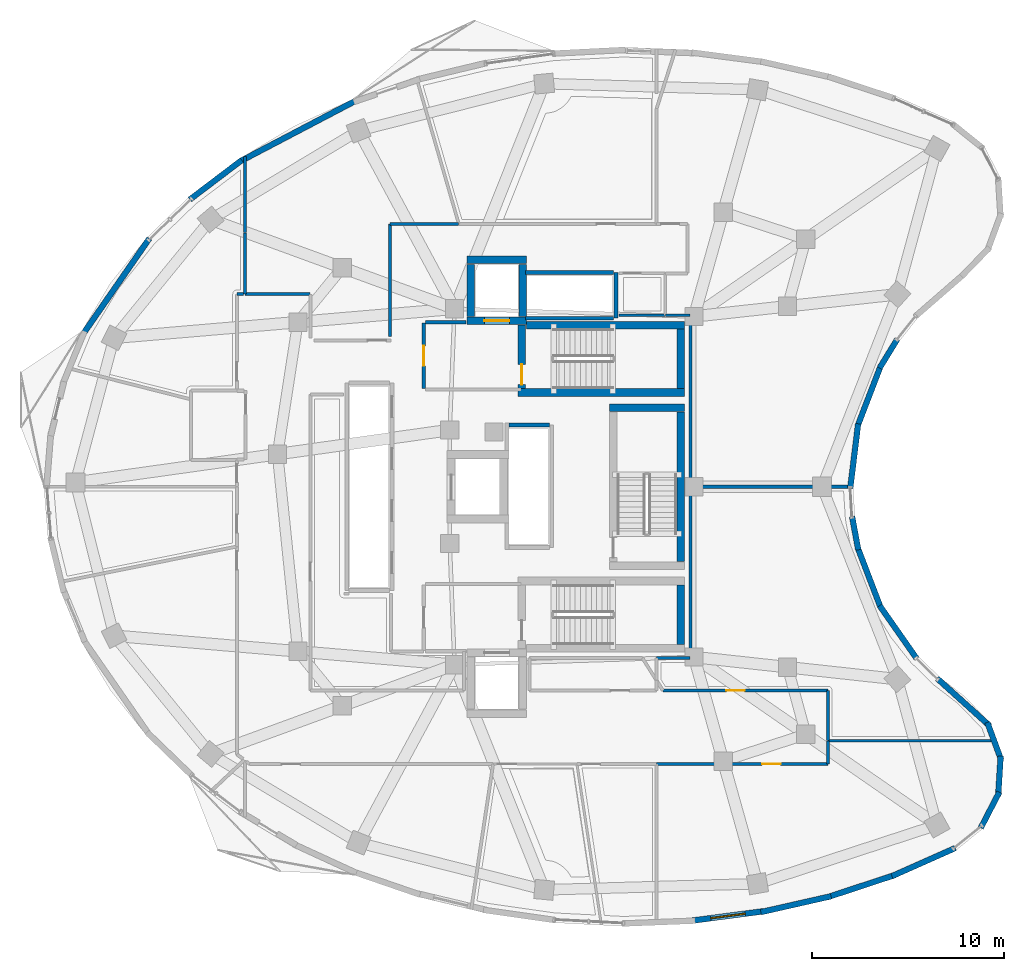
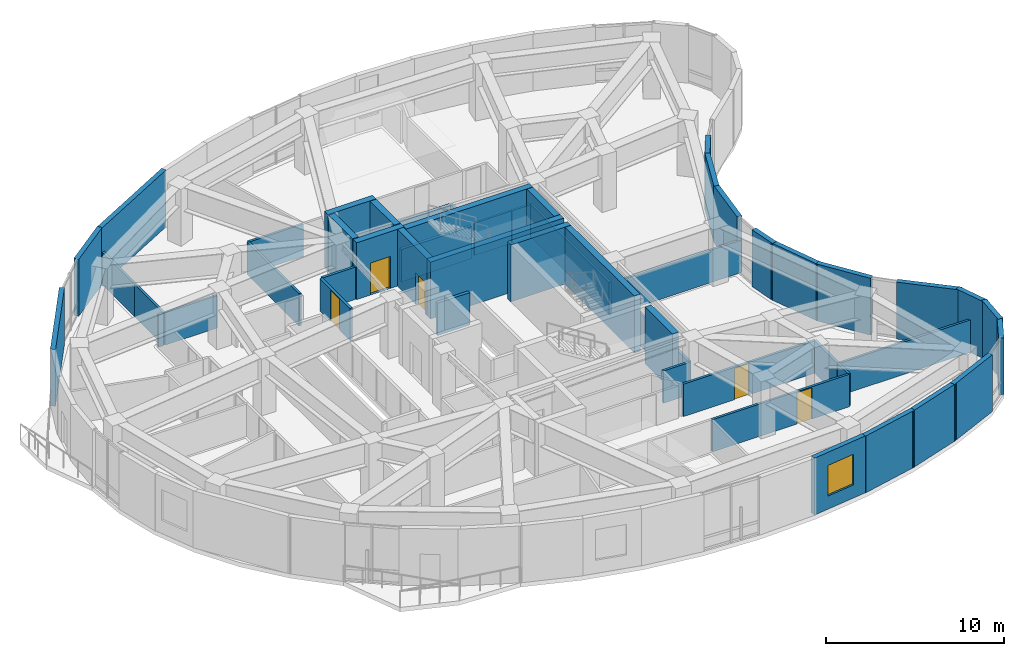
# One storey, part 10 of 14: 51 walls, 5 doors, 1 window, 6 openings.
"""IFC4 building model written with IfcOpenShell, lengths in metres."""

import ifcopenshell
import ifcopenshell.guid

model = None  # the IFC model being written
_history = None  # IfcOwnerHistory: only IFC2X3 demands one
_inside = {}  # id of a spatial element -> (the spatial element, [elements in it])
_under = {}  # id of a project, library or spatial element -> (it, [spatial elements below it])
_declared = {}  # id of a project -> (the project, [libraries it declares])
_typed = {}  # id of a type object -> (the type object, [elements of that type])
_made_of = {}  # id of a material, layer set ... -> (it, [elements and type objects made of it])


def new_model(schema):
    """Start an empty IFC model of exactly this schema.

    Asked for "IFC4X3", IfcOpenShell would pick the latest addendum, in which some entities
    have other attributes; the version numbers below select the first issue.
    IFC2X3 requires an IfcOwnerHistory on every rooted entity: one is made here for all.
    """
    global model, _history
    if schema == "IFC4X3":
        model = ifcopenshell.file(schema_version=(4, 3, 0, 0))
    else:
        model = ifcopenshell.file(schema=schema)
    _inside.clear()
    _under.clear()
    _declared.clear()
    _typed.clear()
    _made_of.clear()
    _history = None
    if model.schema == "IFC2X3":
        org = make("IfcOrganization", Name="unknown")
        user = make(
            "IfcPersonAndOrganization",
            ThePerson=make("IfcPerson", FamilyName="unknown"),
            TheOrganization=org,
        )
        app = make(
            "IfcApplication",
            ApplicationDeveloper=org,
            Version="unknown",
            ApplicationFullName="unknown",
            ApplicationIdentifier="unknown",
        )
        _history = make(
            "IfcOwnerHistory",
            OwningUser=user,
            OwningApplication=app,
            ChangeAction="ADDED",
            CreationDate=0,
        )
    return model


def make(cls, **values):
    """One entity of the class cls with the attributes given. An attribute that is None is left unset."""
    return model.create_entity(
        cls, **{name: value for name, value in values.items() if value is not None}
    )


def rooted(cls, **values):
    """An entity with a GlobalId (a new one), such as an element, a storey or a relation."""
    return make(cls, GlobalId=ifcopenshell.guid.new(), OwnerHistory=_history, **values)


def si_unit(unit_type, name, prefix=None):
    """IfcSIUnit, for example si_unit("LENGTHUNIT", "METRE", prefix="MILLI")."""
    return make("IfcSIUnit", UnitType=unit_type, Prefix=prefix, Name=name)


def assignment(units):
    """IfcUnitAssignment: the units of a project."""
    return None if units is None else make("IfcUnitAssignment", Units=units)


def point(xyz):
    """IfcCartesianPoint."""
    return None if xyz is None else make("IfcCartesianPoint", Coordinates=xyz)


def direction(xyz):
    """IfcDirection."""
    return None if xyz is None else make("IfcDirection", DirectionRatios=xyz)


def frame(location, z_axis=None, x_axis=None):
    """IfcAxis2Placement3D, a coordinate frame: its origin and axes. An axis left out is left unset."""
    return make(
        "IfcAxis2Placement3D",
        Location=point(location),
        Axis=direction(z_axis),
        RefDirection=direction(x_axis),
    )


def frame_2d(location, x_axis=None):
    """IfcAxis2Placement2D, a coordinate frame in the plane: its origin and x axis."""
    return make(
        "IfcAxis2Placement2D", Location=point(location), RefDirection=direction(x_axis)
    )


def origin():
    """The frame at (0, 0, 0) with its axes left unset."""
    return frame((0.0, 0.0, 0.0))


def place(relative_to, where):
    """IfcLocalPlacement: puts the frame where relative to a parent placement (None: the world)."""
    return make(
        "IfcLocalPlacement", PlacementRelTo=relative_to, RelativePlacement=where
    )


def context(
    kind, dimensions, precision=None, world=None, true_north=None, identifier=None
):
    """IfcGeometricRepresentationContext, for example the 3D "Model" context."""
    return make(
        "IfcGeometricRepresentationContext",
        ContextIdentifier=identifier,
        ContextType=kind,
        CoordinateSpaceDimension=dimensions,
        Precision=precision,
        WorldCoordinateSystem=world,
        TrueNorth=true_north,
    )


def subcontext(parent, identifier, kind, view, scale=None):
    """IfcGeometricRepresentationSubContext, for example "Body" below "Model"."""
    return make(
        "IfcGeometricRepresentationSubContext",
        ContextIdentifier=identifier,
        ContextType=kind,
        ParentContext=parent,
        TargetScale=scale,
        TargetView=view,
    )


def project(units=None, contexts=None):
    """IfcProject with its units and contexts."""
    return rooted(
        "IfcProject",
        Name="project",
        RepresentationContexts=contexts,
        UnitsInContext=assignment(units),
    )


def spatial(cls, under=None, at=None, **own):
    """A site, building, storey or space (cls), placed at a placement, below another one or the project."""
    s = rooted(cls, ObjectPlacement=at, **own)
    if under is not None:
        _under.setdefault(under.id(), (under, []))[1].append(s)
    return s


def profile(cls, at=None, kind="AREA", **sizes):
    """A parametric profile (cls). Its sizes go by their IFC names, for example OverallWidth=200.0."""
    return make(cls, ProfileType=kind, Position=at, **sizes)


def rectangle(**sizes):
    """IfcRectangleProfileDef."""
    return profile("IfcRectangleProfileDef", **sizes)


def extrude(swept, where, along, depth):
    """IfcExtrudedAreaSolid: the profile swept, set in the frame where, extruded along a direction by depth."""
    return make(
        "IfcExtrudedAreaSolid",
        SweptArea=swept,
        Position=where,
        ExtrudedDirection=direction(along),
        Depth=depth,
    )


def shape(context_of_items, identifier, shape_type, items):
    """IfcShapeRepresentation: the items that make up one representation, for example the "Body"."""
    return make(
        "IfcShapeRepresentation",
        ContextOfItems=context_of_items,
        RepresentationIdentifier=identifier,
        RepresentationType=shape_type,
        Items=items,
    )


def material(Name=None, Category=None):
    """IfcMaterial."""
    return make("IfcMaterial", Name=Name, Category=Category)


def layer(
    of_material, thickness, ventilated=None, Name=None, Category=None, Priority=None
):
    """IfcMaterialLayer: one layer of a wall or slab, of a material (None: an air gap)."""
    return make(
        "IfcMaterialLayer",
        Material=of_material,
        LayerThickness=thickness,
        IsVentilated=ventilated,
        Name=Name,
        Category=Category,
        Priority=Priority,
    )


def layer_set(layers, Name=None):
    """IfcMaterialLayerSet."""
    return make("IfcMaterialLayerSet", MaterialLayers=layers, LayerSetName=Name)


def made_of(thing, what):
    """Note that an element or type object is made of a material, layer set ...; save() writes the relation."""
    if what is not None:
        _made_of.setdefault(what.id(), (what, []))[1].append(thing)
    return thing


def type_object(cls, material=None, **own):
    """A type object (cls), such as IfcWallType, which elements share."""
    return made_of(rooted(cls, **own), material)


def element(
    cls,
    number,
    at=None,
    inside=None,
    cuts=None,
    type_object=None,
    material=None,
    context=None,
    identifier="Body",
    shape_type=None,
    held_by="IfcProductDefinitionShape",
    body=None,
    shapes=None,
    **own,
):
    """One element of the class cls, such as IfcWall. Its Tag is "e" and its number.

    at: its placement. inside: the storey or other place that contains it. cuts: it is an
    opening in that element (IfcRelVoidsElement). A single representation is given by context,
    identifier, shape_type and body (its items); several are given by shapes. held_by: the class
    of the entity that holds the representations. save() writes the other relations.
    """
    e = rooted(cls, Tag="e%d" % number, ObjectPlacement=at, **own)
    if body is not None:
        shapes = [shape(context, identifier, shape_type, body)]
    if shapes is not None:
        e.Representation = make(held_by, Representations=shapes)
    if inside is not None:
        _inside.setdefault(inside.id(), (inside, []))[1].append(e)
    if cuts is not None:
        rooted(
            "IfcRelVoidsElement", RelatingBuildingElement=cuts, RelatedOpeningElement=e
        )
    if type_object is not None:
        _typed.setdefault(type_object.id(), (type_object, []))[1].append(e)
    return made_of(e, material)


def fill(opening, filler):
    """IfcRelFillsElement: the door or window that sits in an opening."""
    return rooted(
        "IfcRelFillsElement",
        RelatingOpeningElement=opening,
        RelatedBuildingElement=filler,
    )


def aggregate(whole, parts):
    """IfcRelAggregates: a whole, such as a stair, and the parts it consists of."""
    return rooted("IfcRelAggregates", RelatingObject=whole, RelatedObjects=parts)


def save(model, path):
    """Write the relations noted so far, then the file.

    IfcRelAggregates (storeys below a building ...), IfcRelContainedInSpatialStructure (elements
    in a storey), IfcRelDefinesByType, IfcRelAssociatesMaterial and IfcRelDeclares: one each for
    every whole, place, type object, material and project.
    """
    for whole, parts in _under.values():
        aggregate(whole, parts)
    for where, things in _inside.values():
        rooted(
            "IfcRelContainedInSpatialStructure",
            RelatedElements=things,
            RelatingStructure=where,
        )
    for kind, things in _typed.values():
        rooted("IfcRelDefinesByType", RelatedObjects=things, RelatingType=kind)
    for what, things in _made_of.values():
        rooted("IfcRelAssociatesMaterial", RelatedObjects=things, RelatingMaterial=what)
    for by, libraries in _declared.values():
        rooted("IfcRelDeclares", RelatingContext=by, RelatedDefinitions=libraries)
    model.write(path)


model = new_model("IFC4")

# Units and contexts
model_context = context("Model", 3, precision=1e-05, world=origin(), true_north=direction((0.0, 1.0)))
body_context = subcontext(model_context, "Body", "Model", "MODEL_VIEW")
ifc_project = project(units=[si_unit("LENGTHUNIT", "METRE"), si_unit("AREAUNIT", "SQUARE_METRE"), si_unit("VOLUMEUNIT", "CUBIC_METRE"), si_unit("PLANEANGLEUNIT", "RADIAN"), si_unit("MASSUNIT", "GRAM", prefix="KILO")], contexts=[model_context])

# Site, building, storey
site_placement = place(None, origin())
site = spatial("IfcSite", under=ifc_project, at=site_placement, CompositionType="ELEMENT")
building_placement = place(site_placement, origin())
building = spatial("IfcBuilding", under=site, at=building_placement, Name="Korentha Bioscience Tower", CompositionType="ELEMENT")
storey_placement = place(building_placement, frame((0.0, 0.0, 239.39990234375)))
storey = spatial("IfcBuildingStorey", under=building, at=storey_placement, Name="L55", CompositionType="ELEMENT", Elevation=239.39990234375)

# Wall, opening, door
ifc_material_1 = material(Name="Double-Stud Acoustic Gypsum", Category="gypsum")
ifc_layer_1 = layer(ifc_material_1, 0.14990234375, Name="Double-Stud Acoustic Gypsum")
ifc_layer_set_1 = layer_set([ifc_layer_1], Name="Double-Stud Acoustic Gypsum (IW-L150)")
wall_type_1 = type_object("IfcWallType", Name="Acoustic Laboratory Partition Wall 150", PredefinedType="PARTITIONING", material=ifc_layer_set_1)
wall_1_placement = place(storey_placement, frame((35.60791015625, 12.590087890625, 0.0), z_axis=(0.0, 0.0, 1.0), x_axis=(1.0, 0.0, 0.0)))
wall_1 = element("IfcWall", 1, at=wall_1_placement, inside=storey, type_object=wall_type_1, Name="L55 Researchers' Reading Lounge 08 Entrance Wall", PredefinedType="PARTITIONING", context=body_context, shape_type="SweptSolid", body=[
    extrude(rectangle(XDim=8.89208984375, YDim=0.14990234375, at=frame_2d((4.446044921875, 0.0))), origin(), (0.0, 0.0, 1.0), 2.22021484375),
])
opening_1_placement = place(wall_1_placement, frame((5.485107421875, 0.0, 0.0)))
opening_1 = element("IfcOpeningElement", 2, at=opening_1_placement, cuts=wall_1, Name="Opening ID-10L", PredefinedType="OPENING", context=body_context, shape_type="SweptSolid", body=[
    extrude(rectangle(XDim=0.949951171875, YDim=2.14990234375, at=frame_2d((0.47509765625, 1.074951171875))), frame((0.0, 0.08984375, 0.0), z_axis=(0.0, -1.0, 0.0), x_axis=(1.0, 0.0, 0.0)), (0.0, 0.0, 1.0), 0.1796875),
])
ifc_material_2 = material(Name="Phenolic Laminate Timber Core", Category="wood")
door_type_1 = type_object("IfcDoorType", Name="Laboratory Single Leaf Door 950x2150 Left", OperationType="SINGLE_SWING_LEFT", PredefinedType="DOOR", material=ifc_material_2)
door_1_placement = place(opening_1_placement, origin())
door_1 = element("IfcDoor", 3, at=door_1_placement, inside=storey, type_object=door_type_1, Name="L55 Researchers' Reading Lounge 08 Door", OperationType="SINGLE_SWING_LEFT", OverallHeight=2.14990234375, OverallWidth=0.949951171875, PredefinedType="DOOR", context=body_context, shape_type="SweptSolid", body=[
    extrude(rectangle(XDim=0.949951171875, YDim=2.14990234375, at=frame_2d((0.47509765625, 1.074951171875))), frame((0.0, 0.02490234375, 0.0), z_axis=(0.0, -1.0, 0.0), x_axis=(1.0, 0.0, 0.0)), (0.0, 0.0, 1.0), 0.050048828125),
])
fill(opening_1, door_1)

# Walls
wall_2_placement = place(storey_placement, frame((44.510009765625, 12.60009765625, 0.0), z_axis=(0.0, 0.0, 1.0), x_axis=(0.0, 1.0, 0.0)))
element("IfcWall", 4, at=wall_2_placement, inside=storey, type_object=wall_type_1, Name="L55 Interior Partition 043", PredefinedType="PARTITIONING", context=body_context, shape_type="SweptSolid", body=[
    extrude(rectangle(XDim=1.197998046875, YDim=0.14990234375, at=frame_2d((0.59912109375, 0.0))), origin(), (0.0, 0.0, 1.0), 2.22021484375),
])
wall_3_placement = place(storey_placement, frame((44.510009765625, 13.798095703125, 0.0), z_axis=(0.0, 0.0, 1.0), x_axis=(1.0, 0.0, 0.0)))
element("IfcWall", 5, at=wall_3_placement, inside=storey, type_object=wall_type_1, Name="L55 Interior Partition 044", PredefinedType="PARTITIONING", context=body_context, shape_type="SweptSolid", body=[
    extrude(rectangle(XDim=8.744873046875, YDim=0.14990234375, at=frame_2d((4.37255859375, 0.0))), origin(), (0.0, 0.0, 1.0), 2.22021484375),
])
wall_4_placement = place(storey_placement, frame((37.360107421875, 27.052001953125, 0.0), z_axis=(0.0, 0.0, 1.0), x_axis=(0.0, 1.0, 0.0)))
element("IfcWall", 6, at=wall_4_placement, inside=storey, type_object=wall_type_1, Name="L55 Interior Partition 052", PredefinedType="PARTITIONING", context=body_context, shape_type="SweptSolid", body=[
    extrude(rectangle(XDim=8.847900390625, YDim=0.14990234375, at=frame_2d((4.423828125, 0.0))), origin(), (0.0, 0.0, 1.0), 2.22021484375),
])
wall_5_placement = place(storey_placement, frame((37.35009765625, 35.909912109375, 0.0), z_axis=(0.0, 0.0, 1.0), x_axis=(-1.0, 0.0, 0.0)))
element("IfcWall", 7, at=wall_5_placement, inside=storey, type_object=wall_type_1, Name="L55 Interior Partition 053", PredefinedType="PARTITIONING", context=body_context, shape_type="SweptSolid", body=[
    extrude(rectangle(XDim=1.2900390625, YDim=0.14990234375, at=frame_2d((0.64501953125, 0.0))), origin(), (0.0, 0.0, 1.0), 2.22021484375),
])
wall_6_placement = place(storey_placement, frame((25.31103515625, 40.659912109375, 0.0), z_axis=(0.0, 0.0, 1.0), x_axis=(-1.0, 0.0, 0.0)))
element("IfcWall", 8, at=wall_6_placement, inside=storey, type_object=wall_type_1, Name="L55 Interior Partition 059", PredefinedType="PARTITIONING", context=body_context, shape_type="SweptSolid", body=[
    extrude(rectangle(XDim=3.56103515625, YDim=0.14990234375, at=frame_2d((1.780517578125, 0.0))), origin(), (0.0, 0.0, 1.0), 2.22021484375),
])
wall_7_placement = place(storey_placement, frame((21.739990234375, 40.64990234375, 0.0), z_axis=(0.0, 0.0, 1.0), x_axis=(0.0, -1.0, 0.0)))
element("IfcWall", 9, at=wall_7_placement, inside=storey, type_object=wall_type_1, Name="L55 Interior Partition 060", PredefinedType="PARTITIONING", context=body_context, shape_type="SweptSolid", body=[
    extrude(rectangle(XDim=5.849853515625, YDim=0.14990234375, at=frame_2d((2.9248046875, 0.0))), origin(), (0.0, 0.0, 1.0), 2.22021484375),
])
wall_8_placement = place(storey_placement, frame((17.60009765625, 37.010009765625, 0.0), z_axis=(0.0, 0.0, 1.0), x_axis=(-1.0, 0.0, 0.0)))
element("IfcWall", 10, at=wall_8_placement, inside=storey, type_object=wall_type_1, Name="L55 Interior Partition 062", PredefinedType="PARTITIONING", context=body_context, shape_type="SweptSolid", body=[
    extrude(rectangle(XDim=3.398193359375, YDim=0.14990234375, at=frame_2d((1.69921875, 0.0))), origin(), (0.0, 0.0, 1.0), 2.22021484375),
])
wall_9_placement = place(storey_placement, frame((14.201904296875, 37.010009765625, 0.0), z_axis=(0.0, 0.0, 1.0), x_axis=(0.0, 1.0, 0.0)))
element("IfcWall", 11, at=wall_9_placement, inside=storey, type_object=wall_type_1, Name="L55 Interior Partition 063", PredefinedType="PARTITIONING", context=body_context, shape_type="SweptSolid", body=[
    extrude(rectangle(XDim=3.18798828125, YDim=0.14990234375, at=frame_2d((1.593994140625, 0.0))), origin(), (0.0, 0.0, 1.0), 2.22021484375),
])
wall_10_placement = place(storey_placement, frame((14.201904296875, 40.2021484375, 0.0), z_axis=(0.0, 0.0, 1.0), x_axis=(0.0, 1.0, 0.0)))
element("IfcWall", 12, at=wall_10_placement, inside=storey, type_object=wall_type_1, Name="L55 Interior Partition 064", PredefinedType="PARTITIONING", context=body_context, shape_type="SweptSolid", body=[
    extrude(rectangle(XDim=3.950439453125, YDim=0.14990234375, at=frame_2d((1.97509765625, 0.0))), origin(), (0.0, 0.0, 1.0), 2.22021484375),
])
wall_11_placement = place(storey_placement, frame((14.1240234375, 37.010009765625, 0.0), z_axis=(0.0, 0.0, 1.0), x_axis=(-1.0, 0.0, 0.0)))
element("IfcWall", 13, at=wall_11_placement, inside=storey, type_object=wall_type_1, Name="L55 Interior Partition 065", PredefinedType="PARTITIONING", context=body_context, shape_type="SweptSolid", body=[
    extrude(rectangle(XDim=0.323974609375, YDim=0.14990234375, at=frame_2d((0.162109375, 0.0))), origin(), (0.0, 0.0, 1.0), 2.22021484375),
])

# Wall, opening, door
ifc_material_3 = material(Name="Gypsum-Clad Steel Stud", Category="steel")
ifc_layer_2 = layer(ifc_material_3, 0.159912109375, Name="Gypsum-Clad Steel Stud")
ifc_layer_set_2 = layer_set([ifc_layer_2], Name="Gypsum-Clad Steel Stud (IW-C160)")
wall_type_2 = type_object("IfcWallType", Name="Fire-Rated Corridor Partition Wall 160", PredefinedType="PARTITIONING", material=ifc_layer_set_2)
wall_12_placement = place(storey_placement, frame((23.5, 32.10009765625, 0.0), z_axis=(0.0, 0.0, 1.0), x_axis=(0.0, 1.0, 0.0)))
wall_12 = element("IfcWall", 14, at=wall_12_placement, inside=storey, type_object=wall_type_2, Name="L55 FFLN-CW Rated Enclosure Wall", PredefinedType="PARTITIONING", context=body_context, shape_type="SweptSolid", body=[
    extrude(rectangle(XDim=3.39990234375, YDim=0.159912109375, at=frame_2d((1.699951171875, 0.0))), origin(), (0.0, 0.0, 1.0), 2.22021484375),
])
opening_2_placement = place(wall_12_placement, frame((1.175048828125, 0.0, 0.0)))
opening_2 = element("IfcOpeningElement", 15, at=opening_2_placement, cuts=wall_12, Name="Opening FD-90R", PredefinedType="OPENING", context=body_context, shape_type="SweptSolid", body=[
    extrude(rectangle(XDim=1.050048828125, YDim=2.14990234375, at=frame_2d((0.52490234375, 1.074951171875))), frame((0.0, 0.0947265625, 0.0), z_axis=(0.0, -1.0, 0.0), x_axis=(1.0, 0.0, 0.0)), (0.0, 0.0, 1.0), 0.189697265625),
])
ifc_material_4 = material(Name="Powder-Coated Fire-Rated Steel", Category="steel")
door_type_2 = type_object("IfcDoorType", Name="Stairwell Fire Exit Door 1050x2150 Right", OperationType="SINGLE_SWING_RIGHT", PredefinedType="DOOR", material=ifc_material_4)
door_2_placement = place(opening_2_placement, origin())
door_2 = element("IfcDoor", 16, at=door_2_placement, inside=storey, type_object=door_type_2, Name="L55 North Firefighting Lobby Door", OperationType="SINGLE_SWING_RIGHT", OverallHeight=2.14990234375, OverallWidth=1.050048828125, PredefinedType="DOOR", context=body_context, shape_type="SweptSolid", body=[
    extrude(rectangle(XDim=1.050048828125, YDim=2.14990234375, at=frame_2d((0.52490234375, 1.074951171875))), frame((0.0, 0.02490234375, 0.0), z_axis=(0.0, -1.0, 0.0), x_axis=(1.0, 0.0, 0.0)), (0.0, 0.0, 1.0), 0.050048828125),
])
fill(opening_2, door_2)

# Wall
wall_13_placement = place(storey_placement, frame((23.580078125, 35.550048828125, 0.0), z_axis=(0.0, 0.0, 1.0), x_axis=(1.0, 0.0, 0.0)))
element("IfcWall", 17, at=wall_13_placement, inside=storey, type_object=wall_type_2, Name="L55 Firefighting Lobby Return Wall FFLN-N", PredefinedType="PARTITIONING", context=body_context, shape_type="SweptSolid", body=[
    extrude(rectangle(XDim=2.119873046875, YDim=0.159912109375, at=frame_2d((1.06005859375, 0.0))), origin(), (0.0, 0.0, 1.0), 2.22021484375),
])

# Wall, opening, door
wall_14_placement = place(storey_placement, frame((44.5, 16.409912109375, 0.0), z_axis=(0.0, 0.0, 1.0), x_axis=(-1.0, 0.0, 0.0)))
wall_14 = element("IfcWall", 18, at=wall_14_placement, inside=storey, type_object=wall_type_2, Name="L55 Clean Linen and Labcoat Store 09 Entrance Wall", PredefinedType="PARTITIONING", context=body_context, shape_type="SweptSolid", body=[
    extrude(rectangle(XDim=8.570556640625, YDim=0.159912109375, at=frame_2d((4.28515625, 0.0))), origin(), (0.0, 0.0, 1.0), 2.22021484375),
])
opening_3_placement = place(wall_14_placement, frame((4.3212890625, 0.0, 0.0)))
opening_3 = element("IfcOpeningElement", 19, at=opening_3_placement, cuts=wall_14, Name="Opening ID-10R", PredefinedType="OPENING", context=body_context, shape_type="SweptSolid", body=[
    extrude(rectangle(XDim=0.949951171875, YDim=2.14990234375, at=frame_2d((0.47509765625, 1.074951171875))), frame((0.0, 0.0947265625, 0.0), z_axis=(0.0, -1.0, 0.0), x_axis=(1.0, 0.0, 0.0)), (0.0, 0.0, 1.0), 0.189697265625),
])
door_type_3 = type_object("IfcDoorType", Name="Laboratory Single Leaf Door 950x2150 Right", OperationType="SINGLE_SWING_RIGHT", PredefinedType="DOOR", material=ifc_material_2)
door_3_placement = place(opening_3_placement, origin())
door_3 = element("IfcDoor", 20, at=door_3_placement, inside=storey, type_object=door_type_3, Name="L55 Clean Linen and Labcoat Store 09 Door", OperationType="SINGLE_SWING_RIGHT", OverallHeight=2.14990234375, OverallWidth=0.949951171875, PredefinedType="DOOR", context=body_context, shape_type="SweptSolid", body=[
    extrude(rectangle(XDim=0.949951171875, YDim=2.14990234375, at=frame_2d((0.47509765625, 1.074951171875))), frame((0.0, 0.02490234375, 0.0), z_axis=(0.0, -1.0, 0.0), x_axis=(1.0, 0.0, 0.0)), (0.0, 0.0, 1.0), 0.050048828125),
])
fill(opening_3, door_3)

# Walls
wall_15_placement = place(storey_placement, frame((35.60205078125, 18.090087890625, 0.0), z_axis=(0.0, 0.0, 1.0), x_axis=(1.0, 0.0, 0.0)))
element("IfcWall", 21, at=wall_15_placement, inside=storey, type_object=wall_type_2, Name="L55 Interior Partition 045", PredefinedType="PARTITIONING", context=body_context, shape_type="SweptSolid", body=[
    extrude(rectangle(XDim=1.748046875, YDim=0.159912109375, at=frame_2d((0.8740234375, 0.0))), origin(), (0.0, 0.0, 1.0), 2.22021484375),
])
wall_16_placement = place(storey_placement, frame((37.360107421875, 18.10009765625, 0.0), z_axis=(0.0, 0.0, 1.0), x_axis=(0.0, 1.0, 0.0)))
element("IfcWall", 22, at=wall_16_placement, inside=storey, type_object=wall_type_2, Name="L55 Interior Partition 046", PredefinedType="PARTITIONING", context=body_context, shape_type="SweptSolid", body=[
    extrude(rectangle(XDim=8.89794921875, YDim=0.159912109375, at=frame_2d((4.448974609375, 0.0))), origin(), (0.0, 0.0, 1.0), 2.22021484375),
])
wall_17_placement = place(storey_placement, frame((37.360107421875, 26.998046875, 0.0), z_axis=(0.0, 0.0, 1.0), x_axis=(1.0, 0.0, 0.0)))
element("IfcWall", 23, at=wall_17_placement, inside=storey, type_object=wall_type_2, Name="L55 Interior Partition 047", PredefinedType="PARTITIONING", context=body_context, shape_type="SweptSolid", body=[
    extrude(rectangle(XDim=8.43896484375, YDim=0.159912109375, at=frame_2d((4.219482421875, 0.0))), origin(), (0.0, 0.0, 1.0), 2.22021484375),
])
wall_18_placement = place(storey_placement, frame((44.510009765625, 13.80810546875, 0.0), z_axis=(0.0, 0.0, 1.0), x_axis=(0.0, 1.0, 0.0)))
element("IfcWall", 24, at=wall_18_placement, inside=storey, type_object=wall_type_2, Name="L55 Interior Partition 048", PredefinedType="PARTITIONING", context=body_context, shape_type="SweptSolid", body=[
    extrude(rectangle(XDim=2.591796875, YDim=0.159912109375, at=frame_2d((1.2958984375, 0.0))), origin(), (0.0, 0.0, 1.0), 2.22021484375),
])

# Wall, opening, window
ifc_material_5 = material(Name="Honed Limestone Precast Concrete C40", Category="masonry")
ifc_layer_3 = layer(ifc_material_5, 0.300048828125, Name="Honed Limestone Precast Concrete C40")
ifc_layer_set_3 = layer_set([ifc_layer_3], Name="Honed Limestone Precast Concrete C40 (EW-ST300)")
wall_type_3 = type_object("IfcWallType", Name="Honed Limestone Cavity Spandrel Wall 300", PredefinedType="STANDARD", material=ifc_layer_set_3)
wall_19_placement = place(storey_placement, frame((37.454345703125, 4.450439453125, 0.0), z_axis=(0.0, 0.0, 1.0), x_axis=(0.991509668365, 0.130032986352, 0.0)))
wall_19 = element("IfcWall", 25, at=wall_19_placement, inside=storey, type_object=wall_type_3, Name="L55 Honed Limestone Spandrel Wall 33", PredefinedType="STANDARD", context=body_context, shape_type="SweptSolid", body=[
    extrude(rectangle(XDim=3.74560546875, YDim=0.300048828125, at=frame_2d((1.872802734375, 0.0))), origin(), (0.0, 0.0, 1.0), 3.900146484375),
])
opening_4_placement = place(wall_19_placement, frame((0.972900390625, 0.0, 0.89990234375)))
opening_4 = element("IfcOpeningElement", 26, at=opening_4_placement, cuts=wall_19, Name="Opening WN-01", PredefinedType="OPENING", context=body_context, shape_type="SweptSolid", body=[
    extrude(rectangle(XDim=1.800048828125, YDim=2.10009765625, at=frame_2d((0.89990234375, 1.050048828125))), frame((0.0, 0.1650390625, 0.0), z_axis=(0.0, -1.0, 0.0), x_axis=(1.0, 0.0, 0.0)), (0.0, 0.0, 1.0), 0.329833984375),
])
ifc_material_6 = material(Name="Thermally Broken Aluminium Triple Glazing", Category="aluminium")
window_type = type_object("IfcWindowType", Name="Triple-Glazed Fixed Bioscience Window 1800x2100", PartitioningType="SINGLE_PANEL", PredefinedType="WINDOW", material=ifc_material_6)
window_placement = place(opening_4_placement, origin())
window = element("IfcWindow", 27, at=window_placement, inside=storey, type_object=window_type, Name="L55 Facade Window 33", OverallHeight=2.10009765625, OverallWidth=1.800048828125, PartitioningType="SINGLE_PANEL", PredefinedType="WINDOW", context=body_context, shape_type="SweptSolid", body=[
    extrude(rectangle(XDim=1.800048828125, YDim=2.10009765625, at=frame_2d((0.89990234375, 1.050048828125))), frame((0.0, 0.030029296875, 0.0), z_axis=(0.0, -1.0, 0.0), x_axis=(1.0, 0.0, 0.0)), (0.0, 0.0, 1.0), 0.06005859375),
])
fill(opening_4, window)

# Walls
wall_20_placement = place(storey_placement, frame((20.00439453125, 47.083984375, 0.0), z_axis=(0.0, 0.0, 1.0), x_axis=(-0.885549132128, -0.464545729274, 0.0)))
element("IfcWall", 28, at=wall_20_placement, inside=storey, type_object=wall_type_3, Name="L55 Limestone Perimeter Closure Wall 10", PredefinedType="STANDARD", context=body_context, shape_type="SweptSolid", body=[
    extrude(rectangle(XDim=6.90771484375, YDim=0.300048828125, at=frame_2d((3.453857421875, 0.0))), origin(), (0.0, 0.0, 1.0), 3.900146484375),
])
wall_21_placement = place(storey_placement, frame((14.041259765625, 43.972900390625, 0.0), z_axis=(0.0, 0.0, 1.0), x_axis=(-0.796917512891, -0.604088137317, 0.0)))
element("IfcWall", 29, at=wall_21_placement, inside=storey, type_object=wall_type_3, Name="L55 Limestone Perimeter Closure Wall 12", PredefinedType="STANDARD", context=body_context, shape_type="SweptSolid", body=[
    extrude(rectangle(XDim=3.385498046875, YDim=0.300048828125, at=frame_2d((1.69287109375, 0.0))), origin(), (0.0, 0.0, 1.0), 3.900146484375),
])
wall_22_placement = place(storey_placement, frame((9.241943359375, 39.906982421875, 0.0), z_axis=(0.0, 0.0, 1.0), x_axis=(-0.569941426855, -0.821685322952, 0.0)))
element("IfcWall", 30, at=wall_22_placement, inside=storey, type_object=wall_type_3, Name="L55 Limestone Perimeter Closure Wall 14", PredefinedType="STANDARD", context=body_context, shape_type="SweptSolid", body=[
    extrude(rectangle(XDim=6.07275390625, YDim=0.300048828125, at=frame_2d((3.036376953125, 0.0))), origin(), (0.0, 0.0, 1.0), 3.900146484375),
])
wall_23_placement = place(storey_placement, frame((41.0205078125, 4.889892578125, 0.0), z_axis=(0.0, 0.0, 1.0), x_axis=(0.975241674184, 0.221141757557, 0.0)))
element("IfcWall", 31, at=wall_23_placement, inside=storey, type_object=wall_type_3, Name="L55 Limestone Perimeter Closure Wall 34", PredefinedType="STANDARD", context=body_context, shape_type="SweptSolid", body=[
    extrude(rectangle(XDim=3.74267578125, YDim=0.300048828125, at=frame_2d((1.871337890625, 0.0))), origin(), (0.0, 0.0, 1.0), 3.900146484375),
])
wall_24_placement = place(storey_placement, frame((44.503662109375, 5.67138671875, 0.0), z_axis=(0.0, 0.0, 1.0), x_axis=(0.94972655205, 0.313080622734, 0.0)))
element("IfcWall", 32, at=wall_24_placement, inside=storey, type_object=wall_type_3, Name="L55 Limestone Perimeter Closure Wall 35", PredefinedType="STANDARD", context=body_context, shape_type="SweptSolid", body=[
    extrude(rectangle(XDim=3.67919921875, YDim=0.300048828125, at=frame_2d((1.839599609375, 0.0))), origin(), (0.0, 0.0, 1.0), 3.900146484375),
])
wall_25_placement = place(storey_placement, frame((47.835693359375, 6.7607421875, 0.0), z_axis=(0.0, 0.0, 1.0), x_axis=(0.913940198441, 0.405848880341, 0.0)))
element("IfcWall", 33, at=wall_25_placement, inside=storey, type_object=wall_type_3, Name="L55 Limestone Perimeter Closure Wall 36", PredefinedType="STANDARD", context=body_context, shape_type="SweptSolid", body=[
    extrude(rectangle(XDim=3.598388671875, YDim=0.300048828125, at=frame_2d((1.79931640625, 0.0))), origin(), (0.0, 0.0, 1.0), 3.900146484375),
])
wall_26_placement = place(storey_placement, frame((52.451904296875, 9.2646484375, 0.0), z_axis=(0.0, 0.0, 1.0), x_axis=(0.459683297138, 0.888082916361, 0.0)))
element("IfcWall", 34, at=wall_26_placement, inside=storey, type_object=wall_type_3, Name="L55 Limestone Perimeter Closure Wall 38", PredefinedType="STANDARD", context=body_context, shape_type="SweptSolid", body=[
    extrude(rectangle(XDim=2.091552734375, YDim=0.300048828125, at=frame_2d((1.0458984375, 0.0))), origin(), (0.0, 0.0, 1.0), 3.900146484375),
])
for number, where, z_axis, x_axis, name in (
    (35, (53.356201171875, 10.915283203125, 0.0), (0.0, 0.0, 1.0), (0.06186954965, 0.998084244353, 0.0), "L55 Limestone Perimeter Closure Wall 39"),
    (36, (53.516845703125, 12.790771484375, 0.0), (0.0, 0.0, 1.0), (-0.346359858312, 0.93810172612, 0.0), "L55 Limestone Perimeter Closure Wall 40"),
):
    element("IfcWall", number, at=place(storey_placement, frame(where, z_axis=z_axis, x_axis=x_axis)), inside=storey, type_object=wall_type_3, Name=name, PredefinedType="STANDARD", context=body_context, shape_type="SweptSolid", body=[
        extrude(rectangle(XDim=2.09130859375, YDim=0.300048828125, at=frame_2d((1.045654296875, 0.0))), origin(), (0.0, 0.0, 1.0), 3.900146484375),
    ])
wall_27_placement = place(storey_placement, frame((52.9169921875, 14.568603515625, 0.0), z_axis=(0.0, 0.0, 1.0), x_axis=(-0.742037796493, 0.670358045059, 0.0)))
element("IfcWall", 37, at=wall_27_placement, inside=storey, type_object=wall_type_3, Name="L55 Limestone Perimeter Closure Wall 41", PredefinedType="STANDARD", context=body_context, shape_type="SweptSolid", body=[
    extrude(rectangle(XDim=3.685302734375, YDim=0.300048828125, at=frame_2d((1.8427734375, 0.0))), origin(), (0.0, 0.0, 1.0), 3.900146484375),
])
wall_28_placement = place(storey_placement, frame((49.123046875, 18.0673828125, 0.0), z_axis=(0.0, 0.0, 1.0), x_axis=(-0.573598849051, 0.819136350291, 0.0)))
element("IfcWall", 38, at=wall_28_placement, inside=storey, type_object=wall_type_3, Name="L55 Limestone Perimeter Closure Wall 44", PredefinedType="STANDARD", context=body_context, shape_type="SweptSolid", body=[
    extrude(rectangle(XDim=3.36083984375, YDim=0.300048828125, at=frame_2d((1.680419921875, 0.0))), origin(), (0.0, 0.0, 1.0), 3.900146484375),
])
wall_29_placement = place(storey_placement, frame((47.25390625, 20.710205078125, 0.0), z_axis=(0.0, 0.0, 1.0), x_axis=(-0.358365624917, 0.933581318835, 0.0)))
element("IfcWall", 39, at=wall_29_placement, inside=storey, type_object=wall_type_3, Name="L55 Limestone Perimeter Closure Wall 46", PredefinedType="STANDARD", context=body_context, shape_type="SweptSolid", body=[
    extrude(rectangle(XDim=3.360595703125, YDim=0.300048828125, at=frame_2d((1.68017578125, 0.0))), origin(), (0.0, 0.0, 1.0), 3.900146484375),
])
wall_30_placement = place(storey_placement, frame((46.0859375, 23.718994140625, 0.0), z_axis=(0.0, 0.0, 1.0), x_axis=(-0.182198328631, 0.983261800867, 0.0)))
element("IfcWall", 40, at=wall_30_placement, inside=storey, type_object=wall_type_3, Name="L55 Limestone Perimeter Closure Wall 48", PredefinedType="STANDARD", context=body_context, shape_type="SweptSolid", body=[
    extrude(rectangle(XDim=1.763427734375, YDim=0.300048828125, at=frame_2d((0.8818359375, 0.0))), origin(), (0.0, 0.0, 1.0), 3.900146484375),
])
for number, where, z_axis, x_axis, name in (
    (41, (45.67041015625, 26.937744140625, 0.0), (0.0, 0.0, 1.0), (0.121834797873, 0.992550392689, 0.0), "L55 Limestone Perimeter Closure Wall 50"),
    (42, (46.049560546875, 30.15234375, 0.0), (0.0, 0.0, 1.0), (0.358365624917, 0.933581318835, 0.0), "L55 Limestone Perimeter Closure Wall 52"),
):
    element("IfcWall", number, at=place(storey_placement, frame(where, z_axis=z_axis, x_axis=x_axis)), inside=storey, type_object=wall_type_3, Name=name, PredefinedType="STANDARD", context=body_context, shape_type="SweptSolid", body=[
        extrude(rectangle(XDim=3.360595703125, YDim=0.300048828125, at=frame_2d((1.68017578125, 0.0))), origin(), (0.0, 0.0, 1.0), 3.900146484375),
    ])
wall_31_placement = place(storey_placement, frame((47.19482421875, 33.169921875, 0.0), z_axis=(0.0, 0.0, 1.0), x_axis=(0.522536083939, 0.852617171409, 0.0)))
element("IfcWall", 43, at=wall_31_placement, inside=storey, type_object=wall_type_3, Name="L55 Limestone Perimeter Closure Wall 54", PredefinedType="STANDARD", context=body_context, shape_type="SweptSolid", body=[
    extrude(rectangle(XDim=1.76318359375, YDim=0.300048828125, at=frame_2d((0.881591796875, 0.0))), origin(), (0.0, 0.0, 1.0), 3.900146484375),
])
ifc_material_7 = material(Name="Autoclaved Aerated Concrete Block C25", Category="concrete")
ifc_layer_4 = layer(ifc_material_7, 0.199951171875, Name="Autoclaved Aerated Concrete Block C25")
ifc_layer_set_4 = layer_set([ifc_layer_4], Name="Autoclaved Aerated Concrete Block C25 (IW-S200)")
wall_type_4 = type_object("IfcWallType", Name="Lift and Riser Shaft Enclosure Wall 200", PredefinedType="PARTITIONING", material=ifc_layer_set_4)
wall_32_placement = place(storey_placement, frame((27.93408203125, 30.199951171875, 0.0), z_axis=(0.0, 0.0, 1.0), x_axis=(1.0, 0.0, 0.0)))
element("IfcWall", 44, at=wall_32_placement, inside=storey, type_object=wall_type_4, Name="L55 Lift Bank HIGH Shaft Wall +Y", PredefinedType="PARTITIONING", context=body_context, shape_type="SweptSolid", body=[
    extrude(rectangle(XDim=2.095947265625, YDim=0.199951171875, at=frame_2d((1.0478515625, 0.0))), origin(), (0.0, 0.0, 1.0), 2.22021484375),
])
wall_33_placement = place(storey_placement, frame((33.489990234375, 35.760009765625, 0.0), z_axis=(0.0, 0.0, 1.0), x_axis=(0.0, 1.0, 0.0)))
element("IfcWall", 45, at=wall_33_placement, inside=storey, type_object=wall_type_4, Name="L55 Lift Bank OBS Shaft Wall +X", PredefinedType="PARTITIONING", context=body_context, shape_type="SweptSolid", body=[
    extrude(rectangle(XDim=2.3798828125, YDim=0.199951171875, at=frame_2d((1.18994140625, 0.0))), origin(), (0.0, 0.0, 1.0), 2.22021484375),
])
for number, where, z_axis, x_axis, name in (
    (46, (28.800048828125, 35.760009765625, 0.0), (0.0, 0.0, 1.0), (1.0, 0.0, 0.0), "L55 Lift Bank OBS Shaft Wall -Y"),
    (47, (28.800048828125, 38.139892578125, 0.0), (0.0, 0.0, 1.0), (1.0, 0.0, 0.0), "L55 Lift Bank OBS Shaft Wall +Y"),
):
    element("IfcWall", number, at=place(storey_placement, frame(where, z_axis=z_axis, x_axis=x_axis)), inside=storey, type_object=wall_type_4, Name=name, PredefinedType="PARTITIONING", context=body_context, shape_type="SweptSolid", body=[
        extrude(rectangle(XDim=4.570068359375, YDim=0.199951171875, at=frame_2d((2.28515625, 0.0))), origin(), (0.0, 0.0, 1.0), 2.22021484375),
    ])
ifc_material_8 = material(Name="Concrete C65", Category="concrete")
ifc_layer_5 = layer(ifc_material_8, 0.39990234375, Name="Concrete C65")
ifc_layer_set_5 = layer_set([ifc_layer_5], Name="Concrete C65 (CW-C65)")
wall_type_5 = type_object("IfcWallType", Name="Mid-Rise Core Shear Wall 400", PredefinedType="SHEAR", material=ifc_layer_set_5)
wall_34_placement = place(storey_placement, frame((28.85205078125, 35.39990234375, 0.0), z_axis=(0.0, 0.0, 1.0), x_axis=(1.0, 0.0, 0.0)))
element("IfcWall", 48, at=wall_34_placement, inside=storey, type_object=wall_type_5, Name="L55 Core Shear Wall ST1-N", PredefinedType="SHEAR", context=body_context, shape_type="SweptSolid", body=[
    extrude(rectangle(XDim=8.197998046875, YDim=0.39990234375, at=frame_2d((4.09912109375, 0.0))), origin(), (0.0, 0.0, 1.0), 3.900146484375),
])
wall_35_placement = place(storey_placement, frame((28.39990234375, 31.89990234375, 0.0), z_axis=(0.0, 0.0, 1.0), x_axis=(1.0, 0.0, 0.0)))
element("IfcWall", 49, at=wall_35_placement, inside=storey, type_object=wall_type_5, Name="L55 Core Shear Wall ST1-S", PredefinedType="SHEAR", context=body_context, shape_type="SweptSolid", body=[
    extrude(rectangle(XDim=8.650146484375, YDim=0.39990234375, at=frame_2d((4.3251953125, 0.0))), origin(), (0.0, 0.0, 1.0), 3.900146484375),
])
wall_36_placement = place(storey_placement, frame((36.85009765625, 32.110107421875, 0.0), z_axis=(0.0, 0.0, 1.0), x_axis=(0.0, 1.0, 0.0)))
element("IfcWall", 50, at=wall_36_placement, inside=storey, type_object=wall_type_5, Name="L55 Core Shear Wall ST1-E", PredefinedType="SHEAR", context=body_context, shape_type="SweptSolid", body=[
    extrude(rectangle(XDim=3.079833984375, YDim=0.39990234375, at=frame_2d((1.5400390625, 0.0))), origin(), (0.0, 0.0, 1.0), 3.900146484375),
])

# Wall, opening, door
wall_37_placement = place(storey_placement, frame((28.60009765625, 32.110107421875, 0.0), z_axis=(0.0, 0.0, 1.0), x_axis=(0.0, 1.0, 0.0)))
wall_37 = element("IfcWall", 51, at=wall_37_placement, inside=storey, type_object=wall_type_5, Name="L55 Core Shear Wall ST1-W", PredefinedType="SHEAR", context=body_context, shape_type="SweptSolid", body=[
    extrude(rectangle(XDim=3.307861328125, YDim=0.39990234375, at=frame_2d((1.65380859375, 0.0))), origin(), (0.0, 0.0, 1.0), 3.900146484375),
])
opening_5_placement = place(wall_37_placement, frame((0.199951171875, 0.0, 0.0)))
opening_5 = element("IfcOpeningElement", 52, at=opening_5_placement, cuts=wall_37, Name="Opening FD-90R", PredefinedType="OPENING", context=body_context, shape_type="SweptSolid", body=[
    extrude(rectangle(XDim=1.050048828125, YDim=2.14990234375, at=frame_2d((0.52490234375, 1.074951171875))), frame((0.0, 0.21484375, 0.0), z_axis=(0.0, -1.0, 0.0), x_axis=(1.0, 0.0, 0.0)), (0.0, 0.0, 1.0), 0.4296875),
])
door_4_placement = place(opening_5_placement, origin())
door_4 = element("IfcDoor", 53, at=door_4_placement, inside=storey, type_object=door_type_2, Name="L55 ST-1 Fire Exit Stair Door", OperationType="SINGLE_SWING_RIGHT", OverallHeight=2.14990234375, OverallWidth=1.050048828125, PredefinedType="DOOR", context=body_context, shape_type="SweptSolid", body=[
    extrude(rectangle(XDim=1.050048828125, YDim=2.14990234375, at=frame_2d((0.52490234375, 1.074951171875))), frame((0.0, 0.02490234375, 0.0), z_axis=(0.0, -1.0, 0.0), x_axis=(1.0, 0.0, 0.0)), (0.0, 0.0, 1.0), 0.050048828125),
])
fill(opening_5, door_4)

# Walls
wall_38_placement = place(storey_placement, frame((36.85009765625, 18.81005859375, 0.0), z_axis=(0.0, 0.0, 1.0), x_axis=(0.0, 1.0, 0.0)))
element("IfcWall", 54, at=wall_38_placement, inside=storey, type_object=wall_type_5, Name="L55 Core Shear Wall ST2-E", PredefinedType="SHEAR", context=body_context, shape_type="SweptSolid", body=[
    extrude(rectangle(XDim=3.079833984375, YDim=0.39990234375, at=frame_2d((1.5400390625, 0.0))), origin(), (0.0, 0.0, 1.0), 3.900146484375),
])
wall_39_placement = place(storey_placement, frame((33.14990234375, 31.10009765625, 0.0), z_axis=(0.0, 0.0, 1.0), x_axis=(1.0, 0.0, 0.0)))
element("IfcWall", 55, at=wall_39_placement, inside=storey, type_object=wall_type_5, Name="L55 Core Shear Wall ST3-N", PredefinedType="SHEAR", context=body_context, shape_type="SweptSolid", body=[
    extrude(rectangle(XDim=3.900146484375, YDim=0.39990234375, at=frame_2d((1.9501953125, 0.0))), origin(), (0.0, 0.0, 1.0), 3.900146484375),
])
wall_40_placement = place(storey_placement, frame((36.85009765625, 23.110107421875, 0.0), z_axis=(0.0, 0.0, 1.0), x_axis=(0.0, 1.0, 0.0)))
element("IfcWall", 56, at=wall_40_placement, inside=storey, type_object=wall_type_5, Name="L55 Core Shear Wall ST3-E", PredefinedType="SHEAR", context=body_context, shape_type="SweptSolid", body=[
    extrude(rectangle(XDim=7.77978515625, YDim=0.39990234375, at=frame_2d((3.889892578125, 0.0))), origin(), (0.0, 0.0, 1.0), 3.900146484375),
])
wall_41_placement = place(storey_placement, frame((25.75, 38.800048828125, 0.0), z_axis=(0.0, 0.0, 1.0), x_axis=(1.0, 0.0, 0.0)))
element("IfcWall", 57, at=wall_41_placement, inside=storey, type_object=wall_type_5, Name="L55 Core Shear Wall FFL2-N", PredefinedType="SHEAR", context=body_context, shape_type="SweptSolid", body=[
    extrude(rectangle(XDim=3.10009765625, YDim=0.39990234375, at=frame_2d((1.550048828125, 0.0))), origin(), (0.0, 0.0, 1.0), 3.900146484375),
])

# Wall, opening, door
wall_42_placement = place(storey_placement, frame((25.75, 35.6201171875, 0.0), z_axis=(0.0, 0.0, 1.0), x_axis=(1.0, 0.0, 0.0)))
wall_42 = element("IfcWall", 58, at=wall_42_placement, inside=storey, type_object=wall_type_5, Name="L55 Core Shear Wall FFL2-S", PredefinedType="SHEAR", context=body_context, shape_type="SweptSolid", body=[
    extrude(rectangle(XDim=3.10009765625, YDim=0.39990234375, at=frame_2d((1.550048828125, 0.0))), origin(), (0.0, 0.0, 1.0), 3.900146484375),
])
opening_6_placement = place(wall_42_placement, frame((0.89990234375, 0.0, 0.0)))
opening_6 = element("IfcOpeningElement", 59, at=opening_6_placement, cuts=wall_42, Name="Opening LD-13", PredefinedType="OPENING", context=body_context, shape_type="SweptSolid", body=[
    extrude(rectangle(XDim=1.300048828125, YDim=2.199951171875, at=frame_2d((0.64990234375, 1.10009765625))), frame((0.0, 0.21484375, 0.0), z_axis=(0.0, -1.0, 0.0), x_axis=(1.0, 0.0, 0.0)), (0.0, 0.0, 1.0), 0.4296875),
])
ifc_material_9 = material(Name="Brushed Stainless Steel 316", Category="steel")
door_type_4 = type_object("IfcDoorType", Name="Service & Firefighting Lift Landing Door 1300x2300", OperationType="DOUBLE_DOOR_SLIDING", PredefinedType="DOOR", material=ifc_material_9)
door_5_placement = place(opening_6_placement, origin())
door_5 = element("IfcDoor", 60, at=door_5_placement, inside=storey, type_object=door_type_4, Name="L55 FFL-2 Sliding Lift Landing Door", OperationType="DOUBLE_DOOR_SLIDING", OverallHeight=2.199951171875, OverallWidth=1.300048828125, PredefinedType="DOOR", context=body_context, shape_type="SweptSolid", body=[
    extrude(rectangle(XDim=1.300048828125, YDim=2.199951171875, at=frame_2d((0.64990234375, 1.10009765625))), frame((0.0, 0.02490234375, 0.0), z_axis=(0.0, -1.0, 0.0), x_axis=(1.0, 0.0, 0.0)), (0.0, 0.0, 1.0), 0.050048828125),
])
fill(opening_6, door_5)

# Walls
for number, where, z_axis, x_axis, name in (
    (61, (25.949951171875, 35.860107421875, 0.0), (0.0, 0.0, 1.0), (0.0, 1.0, 0.0), "L55 Core Shear Wall FFL2-W"),
    (62, (28.64990234375, 35.860107421875, 0.0), (0.0, 0.0, 1.0), (0.0, 1.0, 0.0), "L55 Core Shear Wall FFL2-E"),
):
    element("IfcWall", number, at=place(storey_placement, frame(where, z_axis=z_axis, x_axis=x_axis)), inside=storey, type_object=wall_type_5, Name=name, PredefinedType="SHEAR", context=body_context, shape_type="SweptSolid", body=[
        extrude(rectangle(XDim=2.699951171875, YDim=0.39990234375, at=frame_2d((1.35009765625, 0.0))), origin(), (0.0, 0.0, 1.0), 3.900146484375),
    ])
ifc_material_10 = material(Name="Cement-Board Steel Stud", Category="steel")
ifc_layer_6 = layer(ifc_material_10, 0.1298828125, Name="Cement-Board Steel Stud")
ifc_layer_set_6 = layer_set([ifc_layer_6], Name="Cement-Board Steel Stud (IW-W130)")
wall_type_6 = type_object("IfcWallType", Name="Wet-Area Moisture-Resistant Partition 130", PredefinedType="PARTITIONING", material=ifc_layer_set_6)
wall_43_placement = place(storey_placement, frame((36.050048828125, 35.909912109375, 0.0), z_axis=(0.0, 0.0, 1.0), x_axis=(-1.0, 0.0, 0.0)))
element("IfcWall", 63, at=wall_43_placement, inside=storey, type_object=wall_type_6, Name="L55 Interior Partition 017", PredefinedType="PARTITIONING", context=body_context, shape_type="SweptSolid", body=[
    extrude(rectangle(XDim=2.400146484375, YDim=0.1298828125, at=frame_2d((1.2001953125, 0.0))), origin(), (0.0, 0.0, 1.0), 2.22021484375),
])

save(model, "model.ifc")
